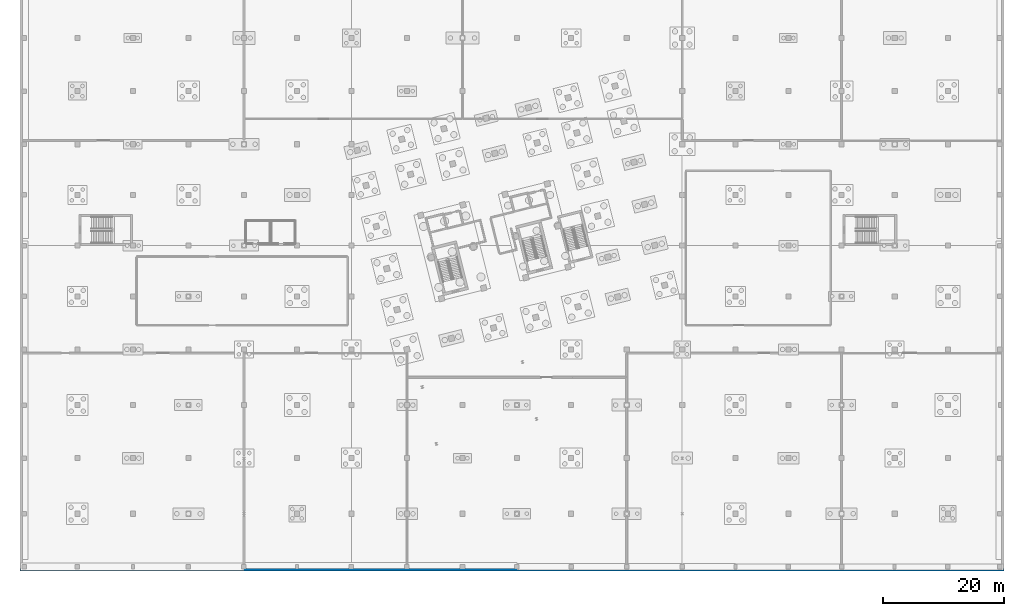
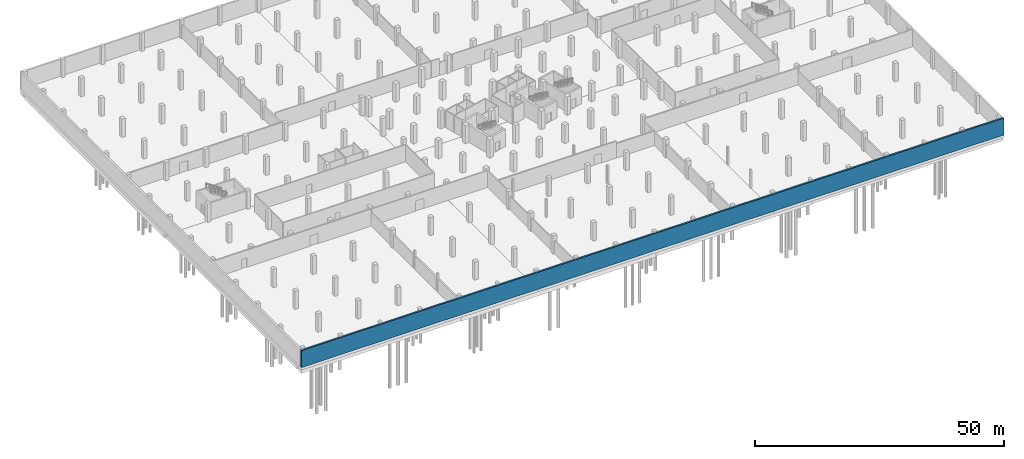
# One storey, part 17 of 29: 1 wall.
"""IFC4 building model written with IfcOpenShell, lengths in metres."""

from ifc_helpers import new_model, si_unit, direction, frame, frame_2d, origin, place, context, subcontext, project, spatial, rectangle, extrude, material, layer, layer_set, type_object, element, save


model = new_model("IFC4")

# Units and contexts
model_context = context("Model", 3, precision=1e-05, world=origin(), true_north=direction((0.0, 1.0)))
body_context = subcontext(model_context, "Body", "Model", "MODEL_VIEW")
ifc_project = project(units=[si_unit("LENGTHUNIT", "METRE"), si_unit("AREAUNIT", "SQUARE_METRE"), si_unit("VOLUMEUNIT", "CUBIC_METRE"), si_unit("PLANEANGLEUNIT", "RADIAN"), si_unit("MASSUNIT", "GRAM", prefix="KILO")], contexts=[model_context])

# Site, building, storey
site_placement = place(None, origin())
site = spatial("IfcSite", under=ifc_project, at=site_placement, CompositionType="ELEMENT")
building_placement = place(site_placement, origin())
building = spatial("IfcBuilding", under=site, at=building_placement, Name="Meriwether Solvik Hall", CompositionType="ELEMENT")
storey_placement = place(building_placement, frame((0.0, 0.0, -9.0)))
storey = spatial("IfcBuildingStorey", under=building, at=storey_placement, Name="B02", CompositionType="ELEMENT", Elevation=-9.0)

# Wall
ifc_material = material(Name="Concrete C40/50", Category="concrete")
ifc_layer = layer(ifc_material, 0.39990234375)
ifc_layer_set = layer_set([ifc_layer], Name="Concrete C40/50")
wall_type = type_object("IfcWallType", Name="WALL-BSMT-400", PredefinedType="STANDARD", material=ifc_layer_set)
wall_placement = place(storey_placement, frame((4.5, 4.699951171875, 0.0), z_axis=(0.0, 0.0, 1.0), x_axis=(1.0, 0.0, 0.0)))
element("IfcWall", 1, at=wall_placement, inside=storey, type_object=wall_type, Name="B02 Perimeter Retaining Wall S", PredefinedType="STANDARD", context=body_context, shape_type="SweptSolid", body=[
    extrude(rectangle(XDim=163.0, YDim=0.39990234375, at=frame_2d((81.5, 0.0))), origin(), (0.0, 0.0, 1.0), 4.169921875),
])

save(model, "model.ifc")
